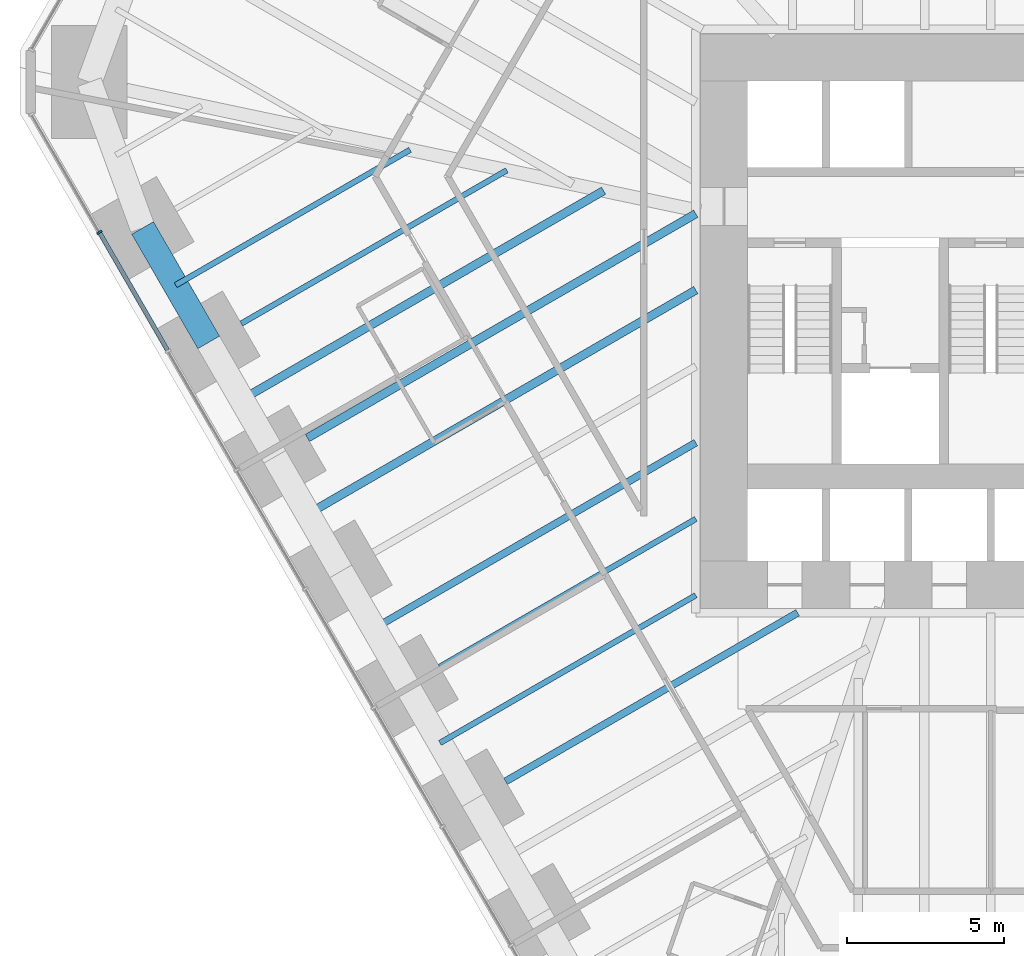
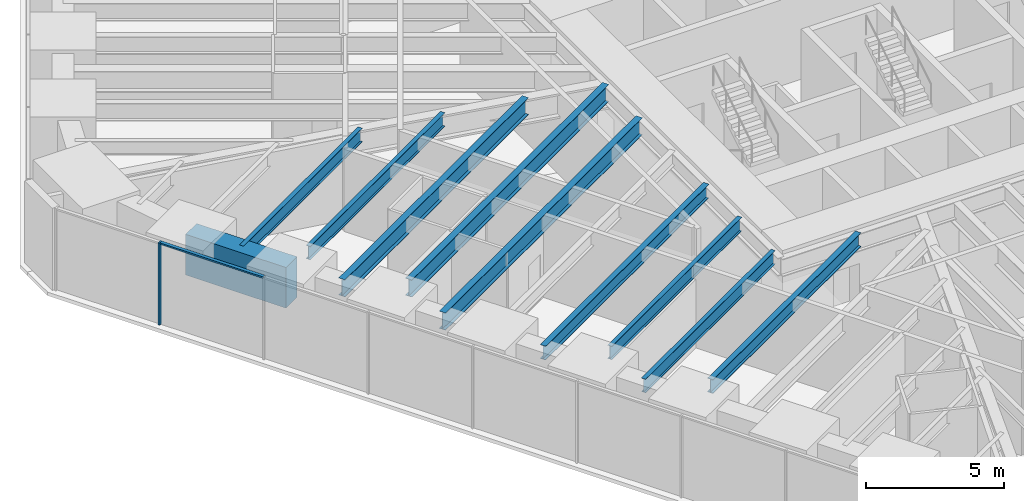
# One storey, part 3 of 17: 10 beams, 2 members, 1 element without a shape of its own.
"""IFC4 building model written with IfcOpenShell, lengths in metres."""

from ifc_helpers import new_model, si_unit, direction, frame, origin, origin_2d, place, context, subcontext, project, spatial, rectangle, i_section, extrude, material, material_profile, profile_set, type_object, element, aggregate, save


model = new_model("IFC4")

# Units and contexts
model_context = context("Model", 3, precision=1e-05, world=origin(), true_north=direction((0.0, 1.0)))
body_context = subcontext(model_context, "Body", "Model", "MODEL_VIEW")
ifc_project = project(units=[si_unit("LENGTHUNIT", "METRE"), si_unit("AREAUNIT", "SQUARE_METRE"), si_unit("VOLUMEUNIT", "CUBIC_METRE"), si_unit("PLANEANGLEUNIT", "RADIAN"), si_unit("MASSUNIT", "GRAM", prefix="KILO")], contexts=[model_context])

# Site, building, storey
site_placement = place(None, origin())
site = spatial("IfcSite", under=ifc_project, at=site_placement, CompositionType="ELEMENT")
building_placement = place(site_placement, origin())
building = spatial("IfcBuilding", under=site, at=building_placement, Name="Sandreach Pilgrim Tower", CompositionType="ELEMENT")
storey_placement = place(building_placement, frame((0.0, 0.0, 34.39990234375)))
storey = spatial("IfcBuildingStorey", under=building, at=storey_placement, Name="L07", CompositionType="ELEMENT", Elevation=34.39990234375)

# Curtain wall, members
ifc_material_1 = material(Name="Aluminium framed curtain wall", Category="aluminium")
curtain_wall_type = type_object("IfcCurtainWallType", Name="Hostel tower curtain wall", PredefinedType="NOTDEFINED", material=ifc_material_1)
curtain_wall_placement = place(storey_placement, origin())
curtain_wall = element("IfcCurtainWall", 1, at=curtain_wall_placement, inside=storey, type_object=curtain_wall_type, Name="CW-1 L07 SW", PredefinedType="NOTDEFINED")
ifc_material_2 = material(Name="Aluminium extrusion", Category="aluminium")
ifc_material_profile_1 = material_profile(ifc_material_2, rectangle(XDim=0.06494140625, YDim=0.179931640625, at=origin_2d()), Name="CW-1M 65X180")
ifc_profile_set_1 = profile_set([ifc_material_profile_1], Name="Aluminium extrusion")
member_type_1 = type_object("IfcMemberType", Name="CW-1 mullion", PredefinedType="MULLION", material=ifc_profile_set_1)
member_1_placement = place(storey_placement, frame((-28.390380859375, 1.2763671875, 0.0), z_axis=(0.0, 0.0, 1.0), x_axis=(-0.5, 0.866025403784, 0.0)))
member_1 = element("IfcMember", 2, at=member_1_placement, type_object=member_type_1, Name="CW-1 mullion 9", PredefinedType="MULLION", context=body_context, shape_type="SweptSolid", body=[
    extrude(rectangle(XDim=0.06494140625, YDim=0.179931640625, at=origin_2d()), origin(), (0.0, 0.0, 1.0), 3.64013671875),
])
ifc_material_3 = material(Name="Aluminium extrusion", Category="aluminium")
ifc_material_profile_2 = material_profile(ifc_material_3, rectangle(XDim=0.139892578125, YDim=0.070068359375, at=origin_2d()), Name="CW-1T 140X70")
ifc_profile_set_2 = profile_set([ifc_material_profile_2], Name="Aluminium extrusion")
member_type_2 = type_object("IfcMemberType", Name="CW-1 transom", PredefinedType="USERDEFINED", material=ifc_profile_set_2)
member_2_placement = place(storey_placement, frame((-26.220947265625, -2.4814453125, 3.60498046875), z_axis=(-0.500016891966, 0.866015650984, 0.0), x_axis=(-0.866015650984, -0.500016891966, 0.0)))
member_2 = element("IfcMember", 3, at=member_2_placement, type_object=member_type_2, Name="CW-1 head transom 8", ObjectType="TRANSOM", PredefinedType="USERDEFINED", context=body_context, shape_type="SweptSolid", body=[
    extrude(rectangle(XDim=0.139892578125, YDim=0.070068359375, at=origin_2d()), origin(), (0.0, 0.0, 1.0), 4.306396484375),
])
aggregate(curtain_wall, [member_1, member_2])

# Beams
ifc_material_4 = material(Name="Steel ASTM A992 Grade 50", Category="steel")
ifc_material_profile_3 = material_profile(ifc_material_4, i_section(OverallWidth=0.1787109375, OverallDepth=0.60205078125, WebThickness=0.010986328125, FlangeThickness=0.014892578125, at=origin_2d()), Name="W24X62")
ifc_profile_set_3 = profile_set([ifc_material_profile_3], Name="Steel ASTM A992 Grade 50")
beam_type_1 = type_object("IfcBeamType", Name="Floor beam W24X62", PredefinedType="BEAM", material=ifc_profile_set_3)
beam_1_placement = place(storey_placement, frame((-17.557373046875, -12.5673828125, 3.339111328125), z_axis=(0.866020839647, 0.500007905235, 0.0), x_axis=(-0.500007905235, 0.866020839647, 0.0)))
element("IfcBeam", 4, at=beam_1_placement, inside=storey, type_object=beam_type_1, Name="BM L07 F30", PredefinedType="BEAM", context=body_context, shape_type="SweptSolid", body=[
    extrude(i_section(OverallWidth=0.1787109375, OverallDepth=0.60205078125, WebThickness=0.010986328125, FlangeThickness=0.014892578125, at=origin_2d()), origin(), (0.0, 0.0, 1.0), 9.427001953125),
])
beam_2_placement = place(storey_placement, frame((-23.8720703125, -1.629638671875, 3.339111328125), z_axis=(0.866025751498, 0.499999397742, 0.0), x_axis=(-0.499999397742, 0.866025751498, 0.0)))
element("IfcBeam", 5, at=beam_2_placement, inside=storey, type_object=beam_type_1, Name="BM L07 F33", PredefinedType="BEAM", context=body_context, shape_type="SweptSolid", body=[
    extrude(i_section(OverallWidth=0.1787109375, OverallDepth=0.60205078125, WebThickness=0.010986328125, FlangeThickness=0.014892578125, at=origin_2d()), origin(), (0.0, 0.0, 1.0), 9.767578125),
])
beam_3_placement = place(storey_placement, frame((-17.5439453125, -14.990234375, 3.339111328125), z_axis=(0.86602359238, 0.500003137431, 0.0), x_axis=(-0.500003137431, 0.86602359238, 0.0)))
element("IfcBeam", 6, at=beam_3_placement, inside=storey, type_object=beam_type_1, Name="BM L07 FM29", PredefinedType="BEAM", context=body_context, shape_type="SweptSolid", body=[
    extrude(i_section(OverallWidth=0.1787109375, OverallDepth=0.60205078125, WebThickness=0.010986328125, FlangeThickness=0.014892578125, at=origin_2d()), origin(), (0.0, 0.0, 1.0), 9.41162109375),
])
beam_4_placement = place(storey_placement, frame((-25.9638671875, -0.40673828125, 3.339111328125), z_axis=(0.866020100198, 0.500009185969, 0.0), x_axis=(-0.500009185969, 0.866020100198, 0.0)))
element("IfcBeam", 7, at=beam_4_placement, inside=storey, type_object=beam_type_1, Name="BM L07 FM33", PredefinedType="BEAM", context=body_context, shape_type="SweptSolid", body=[
    extrude(i_section(OverallWidth=0.1787109375, OverallDepth=0.60205078125, WebThickness=0.010986328125, FlangeThickness=0.014892578125, at=origin_2d()), origin(), (0.0, 0.0, 1.0), 8.623291015625),
])
ifc_material_5 = material(Name="Steel ASTM A992 Grade 50", Category="steel")
ifc_material_profile_4 = material_profile(ifc_material_5, i_section(OverallWidth=0.23046875, OverallDepth=0.6171875, WebThickness=0.01318359375, FlangeThickness=0.022216796875, at=origin_2d()), Name="W24X94")
ifc_profile_set_4 = profile_set([ifc_material_profile_4], Name="Steel ASTM A992 Grade 50")
beam_type_2 = type_object("IfcBeamType", Name="Floor beam W24X94", PredefinedType="BEAM", material=ifc_profile_set_4)
beam_5_placement = place(storey_placement, frame((-15.452392578125, -16.213134765625, 3.33154296875), z_axis=(0.866028486751, 0.499994660107, 0.0), x_axis=(-0.499994660107, 0.866028486751, 0.0)))
element("IfcBeam", 8, at=beam_5_placement, inside=storey, type_object=beam_type_2, Name="BM L07 F29", PredefinedType="BEAM", context=body_context, shape_type="SweptSolid", body=[
    extrude(i_section(OverallWidth=0.23046875, OverallDepth=0.6171875, WebThickness=0.01318359375, FlangeThickness=0.022216796875, at=origin_2d()), origin(), (0.0, 0.0, 1.0), 10.73974609375),
])
beam_6_placement = place(storey_placement, frame((-19.64892578125, -11.34423828125, 3.33154296875), z_axis=(0.866032123691, 0.4999883606, 0.0), x_axis=(-0.4999883606, 0.866032123691, 0.0)))
element("IfcBeam", 9, at=beam_6_placement, inside=storey, type_object=beam_type_2, Name="BM L07 FM30", PredefinedType="BEAM", context=body_context, shape_type="SweptSolid", body=[
    extrude(i_section(OverallWidth=0.23046875, OverallDepth=0.6171875, WebThickness=0.01318359375, FlangeThickness=0.022216796875, at=origin_2d()), origin(), (0.0, 0.0, 1.0), 11.842041015625),
])
ifc_material_6 = material(Name="Steel ASTM A992 Grade 50", Category="steel")
ifc_material_profile_5 = material_profile(ifc_material_6, i_section(OverallWidth=0.2666015625, OverallDepth=0.761962890625, WebThickness=0.014404296875, FlangeThickness=0.021484375, at=origin_2d()), Name="W30X116")
ifc_profile_set_5 = profile_set([ifc_material_profile_5], Name="Steel ASTM A992 Grade 50")
beam_type_3 = type_object("IfcBeamType", Name="Floor beam W30X116", PredefinedType="BEAM", material=ifc_profile_set_5)
beam_7_placement = place(storey_placement, frame((-21.76708984375, -5.275390625, 3.259033203125), z_axis=(0.866024247282, 0.500002003116, 0.0), x_axis=(-0.500002003116, 0.866024247282, 0.0)))
element("IfcBeam", 10, at=beam_7_placement, inside=storey, type_object=beam_type_3, Name="BM L07 F32", PredefinedType="BEAM", context=body_context, shape_type="SweptSolid", body=[
    extrude(i_section(OverallWidth=0.2666015625, OverallDepth=0.761962890625, WebThickness=0.014404296875, FlangeThickness=0.021484375, at=origin_2d()), origin(), (0.0, 0.0, 1.0), 14.2880859375),
])
beam_8_placement = place(storey_placement, frame((-21.75390625, -7.698486328125, 3.259033203125), z_axis=(0.866022935671, 0.500004274874, 0.0), x_axis=(-0.500004274874, 0.866022935671, 0.0)))
element("IfcBeam", 11, at=beam_8_placement, inside=storey, type_object=beam_type_3, Name="BM L07 FM31", PredefinedType="BEAM", context=body_context, shape_type="SweptSolid", body=[
    extrude(i_section(OverallWidth=0.2666015625, OverallDepth=0.761962890625, WebThickness=0.014404296875, FlangeThickness=0.021484375, at=origin_2d()), origin(), (0.0, 0.0, 1.0), 14.27294921875),
])
beam_9_placement = place(storey_placement, frame((-23.85888671875, -4.052490234375, 3.259033203125), z_axis=(0.866029213426, 0.499993401449, 0.0), x_axis=(-0.499993401449, 0.866029213426, 0.0)))
element("IfcBeam", 12, at=beam_9_placement, inside=storey, type_object=beam_type_3, Name="BM L07 FM32", PredefinedType="BEAM", context=body_context, shape_type="SweptSolid", body=[
    extrude(i_section(OverallWidth=0.2666015625, OverallDepth=0.761962890625, WebThickness=0.014404296875, FlangeThickness=0.021484375, at=origin_2d()), origin(), (0.0, 0.0, 1.0), 13.311767578125),
])
ifc_material_7 = material(Name="Concrete 10000 psi", Category="concrete")
ifc_material_profile_6 = material_profile(ifc_material_7, rectangle(XDim=0.800048828125, YDim=1.800048828125, at=origin_2d()), Name="RC800X1800")
ifc_profile_set_6 = profile_set([ifc_material_profile_6], Name="Concrete 10000 psi")
beam_type_4 = type_object("IfcBeamType", Name="Spandrel beam RC800X1800", PredefinedType="SPANDREL", material=ifc_profile_set_6)
beam_10_placement = place(storey_placement, frame((-24.911376953125, -2.229736328125, 2.739990234375), z_axis=(-0.499993523031, 0.866029143232, 0.0), x_axis=(-0.866029143232, -0.499993523031, 0.0)))
element("IfcBeam", 13, at=beam_10_placement, inside=storey, type_object=beam_type_4, Name="BM L07 SP33", PredefinedType="SPANDREL", context=body_context, shape_type="SweptSolid", body=[
    extrude(rectangle(XDim=0.800048828125, YDim=1.800048828125, at=origin_2d()), origin(), (0.0, 0.0, 1.0), 4.2099609375),
])

save(model, "model.ifc")
